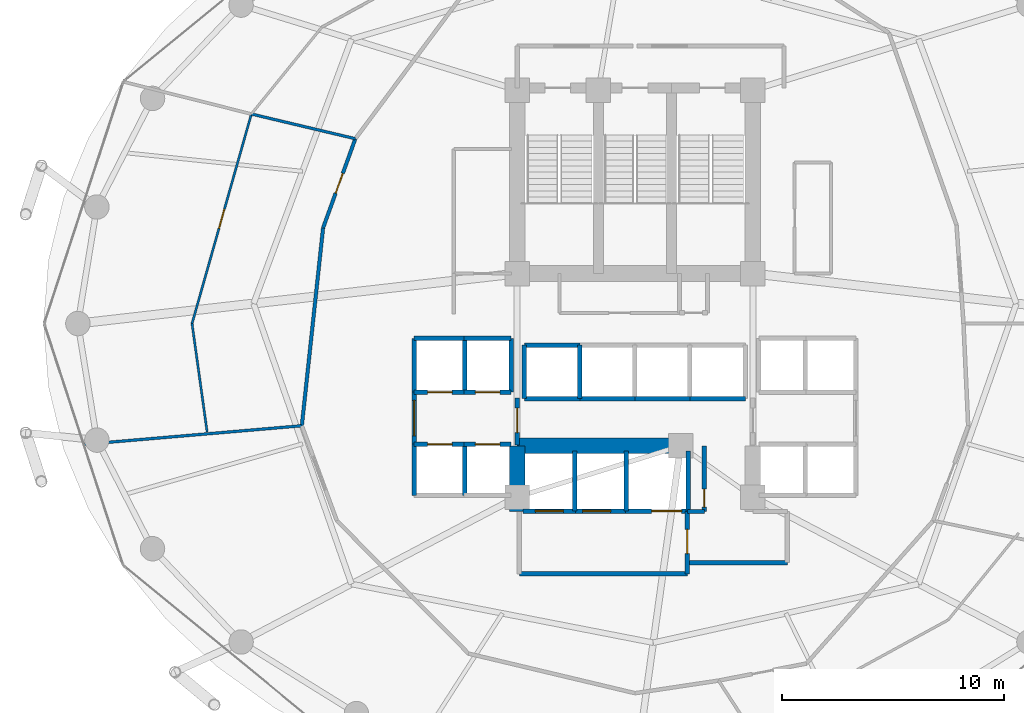
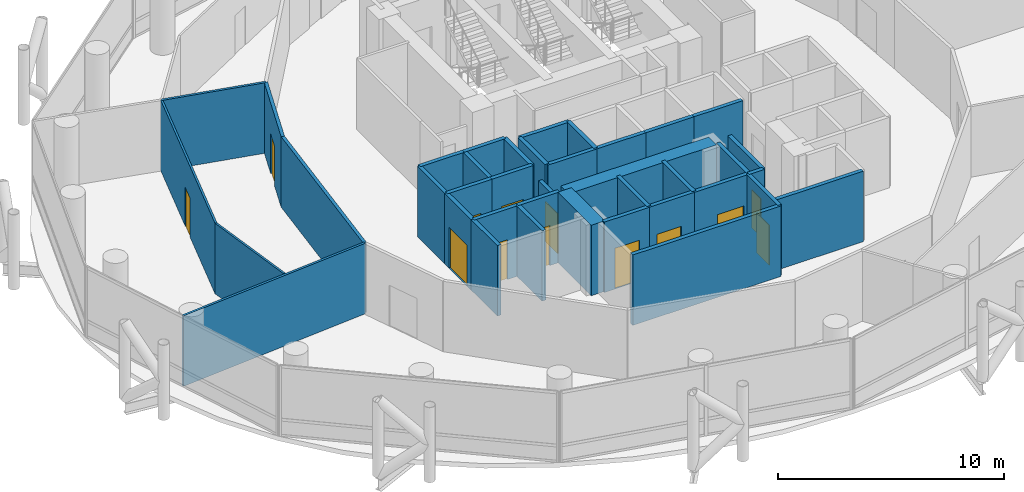
# One storey, part 21 of 24: 39 walls, 13 doors, 13 openings.
"""IFC4 building model written with IfcOpenShell, lengths in metres."""

import ifcopenshell
import ifcopenshell.guid

model = None  # the IFC model being written
_history = None  # IfcOwnerHistory: only IFC2X3 demands one
_inside = {}  # id of a spatial element -> (the spatial element, [elements in it])
_under = {}  # id of a project, library or spatial element -> (it, [spatial elements below it])
_declared = {}  # id of a project -> (the project, [libraries it declares])
_typed = {}  # id of a type object -> (the type object, [elements of that type])
_made_of = {}  # id of a material, layer set ... -> (it, [elements and type objects made of it])


def new_model(schema):
    """Start an empty IFC model of exactly this schema.

    Asked for "IFC4X3", IfcOpenShell would pick the latest addendum, in which some entities
    have other attributes; the version numbers below select the first issue.
    IFC2X3 requires an IfcOwnerHistory on every rooted entity: one is made here for all.
    """
    global model, _history
    if schema == "IFC4X3":
        model = ifcopenshell.file(schema_version=(4, 3, 0, 0))
    else:
        model = ifcopenshell.file(schema=schema)
    _inside.clear()
    _under.clear()
    _declared.clear()
    _typed.clear()
    _made_of.clear()
    _history = None
    if model.schema == "IFC2X3":
        org = make("IfcOrganization", Name="unknown")
        user = make(
            "IfcPersonAndOrganization",
            ThePerson=make("IfcPerson", FamilyName="unknown"),
            TheOrganization=org,
        )
        app = make(
            "IfcApplication",
            ApplicationDeveloper=org,
            Version="unknown",
            ApplicationFullName="unknown",
            ApplicationIdentifier="unknown",
        )
        _history = make(
            "IfcOwnerHistory",
            OwningUser=user,
            OwningApplication=app,
            ChangeAction="ADDED",
            CreationDate=0,
        )
    return model


def make(cls, **values):
    """One entity of the class cls with the attributes given. An attribute that is None is left unset."""
    return model.create_entity(
        cls, **{name: value for name, value in values.items() if value is not None}
    )


def rooted(cls, **values):
    """An entity with a GlobalId (a new one), such as an element, a storey or a relation."""
    return make(cls, GlobalId=ifcopenshell.guid.new(), OwnerHistory=_history, **values)


def si_unit(unit_type, name, prefix=None):
    """IfcSIUnit, for example si_unit("LENGTHUNIT", "METRE", prefix="MILLI")."""
    return make("IfcSIUnit", UnitType=unit_type, Prefix=prefix, Name=name)


def assignment(units):
    """IfcUnitAssignment: the units of a project."""
    return None if units is None else make("IfcUnitAssignment", Units=units)


def point(xyz):
    """IfcCartesianPoint."""
    return None if xyz is None else make("IfcCartesianPoint", Coordinates=xyz)


def direction(xyz):
    """IfcDirection."""
    return None if xyz is None else make("IfcDirection", DirectionRatios=xyz)


def frame(location, z_axis=None, x_axis=None):
    """IfcAxis2Placement3D, a coordinate frame: its origin and axes. An axis left out is left unset."""
    return make(
        "IfcAxis2Placement3D",
        Location=point(location),
        Axis=direction(z_axis),
        RefDirection=direction(x_axis),
    )


def frame_2d(location, x_axis=None):
    """IfcAxis2Placement2D, a coordinate frame in the plane: its origin and x axis."""
    return make(
        "IfcAxis2Placement2D", Location=point(location), RefDirection=direction(x_axis)
    )


def origin():
    """The frame at (0, 0, 0) with its axes left unset."""
    return frame((0.0, 0.0, 0.0))


def place(relative_to, where):
    """IfcLocalPlacement: puts the frame where relative to a parent placement (None: the world)."""
    return make(
        "IfcLocalPlacement", PlacementRelTo=relative_to, RelativePlacement=where
    )


def context(
    kind, dimensions, precision=None, world=None, true_north=None, identifier=None
):
    """IfcGeometricRepresentationContext, for example the 3D "Model" context."""
    return make(
        "IfcGeometricRepresentationContext",
        ContextIdentifier=identifier,
        ContextType=kind,
        CoordinateSpaceDimension=dimensions,
        Precision=precision,
        WorldCoordinateSystem=world,
        TrueNorth=true_north,
    )


def subcontext(parent, identifier, kind, view, scale=None):
    """IfcGeometricRepresentationSubContext, for example "Body" below "Model"."""
    return make(
        "IfcGeometricRepresentationSubContext",
        ContextIdentifier=identifier,
        ContextType=kind,
        ParentContext=parent,
        TargetScale=scale,
        TargetView=view,
    )


def project(units=None, contexts=None):
    """IfcProject with its units and contexts."""
    return rooted(
        "IfcProject",
        Name="project",
        RepresentationContexts=contexts,
        UnitsInContext=assignment(units),
    )


def spatial(cls, under=None, at=None, **own):
    """A site, building, storey or space (cls), placed at a placement, below another one or the project."""
    s = rooted(cls, ObjectPlacement=at, **own)
    if under is not None:
        _under.setdefault(under.id(), (under, []))[1].append(s)
    return s


def profile(cls, at=None, kind="AREA", **sizes):
    """A parametric profile (cls). Its sizes go by their IFC names, for example OverallWidth=200.0."""
    return make(cls, ProfileType=kind, Position=at, **sizes)


def rectangle(**sizes):
    """IfcRectangleProfileDef."""
    return profile("IfcRectangleProfileDef", **sizes)


def extrude(swept, where, along, depth):
    """IfcExtrudedAreaSolid: the profile swept, set in the frame where, extruded along a direction by depth."""
    return make(
        "IfcExtrudedAreaSolid",
        SweptArea=swept,
        Position=where,
        ExtrudedDirection=direction(along),
        Depth=depth,
    )


def shape(context_of_items, identifier, shape_type, items):
    """IfcShapeRepresentation: the items that make up one representation, for example the "Body"."""
    return make(
        "IfcShapeRepresentation",
        ContextOfItems=context_of_items,
        RepresentationIdentifier=identifier,
        RepresentationType=shape_type,
        Items=items,
    )


def material(Name=None, Category=None):
    """IfcMaterial."""
    return make("IfcMaterial", Name=Name, Category=Category)


def layer(
    of_material, thickness, ventilated=None, Name=None, Category=None, Priority=None
):
    """IfcMaterialLayer: one layer of a wall or slab, of a material (None: an air gap)."""
    return make(
        "IfcMaterialLayer",
        Material=of_material,
        LayerThickness=thickness,
        IsVentilated=ventilated,
        Name=Name,
        Category=Category,
        Priority=Priority,
    )


def layer_set(layers, Name=None):
    """IfcMaterialLayerSet."""
    return make("IfcMaterialLayerSet", MaterialLayers=layers, LayerSetName=Name)


def made_of(thing, what):
    """Note that an element or type object is made of a material, layer set ...; save() writes the relation."""
    if what is not None:
        _made_of.setdefault(what.id(), (what, []))[1].append(thing)
    return thing


def type_object(cls, material=None, **own):
    """A type object (cls), such as IfcWallType, which elements share."""
    return made_of(rooted(cls, **own), material)


def element(
    cls,
    number,
    at=None,
    inside=None,
    cuts=None,
    type_object=None,
    material=None,
    context=None,
    identifier="Body",
    shape_type=None,
    held_by="IfcProductDefinitionShape",
    body=None,
    shapes=None,
    **own,
):
    """One element of the class cls, such as IfcWall. Its Tag is "e" and its number.

    at: its placement. inside: the storey or other place that contains it. cuts: it is an
    opening in that element (IfcRelVoidsElement). A single representation is given by context,
    identifier, shape_type and body (its items); several are given by shapes. held_by: the class
    of the entity that holds the representations. save() writes the other relations.
    """
    e = rooted(cls, Tag="e%d" % number, ObjectPlacement=at, **own)
    if body is not None:
        shapes = [shape(context, identifier, shape_type, body)]
    if shapes is not None:
        e.Representation = make(held_by, Representations=shapes)
    if inside is not None:
        _inside.setdefault(inside.id(), (inside, []))[1].append(e)
    if cuts is not None:
        rooted(
            "IfcRelVoidsElement", RelatingBuildingElement=cuts, RelatedOpeningElement=e
        )
    if type_object is not None:
        _typed.setdefault(type_object.id(), (type_object, []))[1].append(e)
    return made_of(e, material)


def fill(opening, filler):
    """IfcRelFillsElement: the door or window that sits in an opening."""
    return rooted(
        "IfcRelFillsElement",
        RelatingOpeningElement=opening,
        RelatedBuildingElement=filler,
    )


def aggregate(whole, parts):
    """IfcRelAggregates: a whole, such as a stair, and the parts it consists of."""
    return rooted("IfcRelAggregates", RelatingObject=whole, RelatedObjects=parts)


def save(model, path):
    """Write the relations noted so far, then the file.

    IfcRelAggregates (storeys below a building ...), IfcRelContainedInSpatialStructure (elements
    in a storey), IfcRelDefinesByType, IfcRelAssociatesMaterial and IfcRelDeclares: one each for
    every whole, place, type object, material and project.
    """
    for whole, parts in _under.values():
        aggregate(whole, parts)
    for where, things in _inside.values():
        rooted(
            "IfcRelContainedInSpatialStructure",
            RelatedElements=things,
            RelatingStructure=where,
        )
    for kind, things in _typed.values():
        rooted("IfcRelDefinesByType", RelatedObjects=things, RelatingType=kind)
    for what, things in _made_of.values():
        rooted("IfcRelAssociatesMaterial", RelatedObjects=things, RelatingMaterial=what)
    for by, libraries in _declared.values():
        rooted("IfcRelDeclares", RelatingContext=by, RelatedDefinitions=libraries)
    model.write(path)


model = new_model("IFC4")

# Units and contexts
model_context = context("Model", 3, precision=1e-05, world=origin(), true_north=direction((0.0, 1.0)))
body_context = subcontext(model_context, "Body", "Model", "MODEL_VIEW")
ifc_project = project(units=[si_unit("LENGTHUNIT", "METRE"), si_unit("AREAUNIT", "SQUARE_METRE"), si_unit("VOLUMEUNIT", "CUBIC_METRE"), si_unit("PLANEANGLEUNIT", "RADIAN"), si_unit("MASSUNIT", "GRAM", prefix="KILO")], contexts=[model_context])

# Site, building, storey
site_placement = place(None, origin())
site = spatial("IfcSite", under=ifc_project, at=site_placement, CompositionType="ELEMENT")
building_placement = place(site_placement, origin())
building = spatial("IfcBuilding", under=site, at=building_placement, Name="Nuhasar Tower", CompositionType="ELEMENT")
storey_placement = place(building_placement, frame((0.0, 0.0, 89.85009765625)))
storey = spatial("IfcBuildingStorey", under=building, at=storey_placement, Name="L21", CompositionType="ELEMENT", Elevation=89.85009765625)

# Walls
ifc_material_1 = material(Name="Concrete C65/80", Category="concrete")
ifc_layer_1 = layer(ifc_material_1, 0.699951171875)
ifc_layer_set_1 = layer_set([ifc_layer_1], Name="Concrete C65/80")
wall_type_1 = type_object("IfcWallType", Name="WL-CORE-700", PredefinedType="SHEAR", material=ifc_layer_set_1)
wall_1_placement = place(storey_placement, frame((33.699951171875, 18.35009765625, 0.0), z_axis=(0.0, 0.0, 1.0), x_axis=(0.0, 1.0, 0.0)))
element("IfcWall", 1, at=wall_1_placement, inside=storey, type_object=wall_type_1, Name="L21 Core Shear Wall CW-SW CW-700", PredefinedType="SHEAR", context=body_context, shape_type="SweptSolid", body=[
    extrude(rectangle(XDim=2.949951171875, YDim=0.699951171875, at=frame_2d((1.47509765625, 0.0))), origin(), (0.0, 0.0, 1.0), 3.7998046875),
])
wall_2_placement = place(storey_placement, frame((33.699951171875, 21.300048828125, 0.0), z_axis=(0.0, 0.0, 1.0), x_axis=(1.0, 0.0, 0.0)))
element("IfcWall", 2, at=wall_2_placement, inside=storey, type_object=wall_type_1, Name="L21 Core Shear Wall CW-S1 CW-700", PredefinedType="SHEAR", context=body_context, shape_type="SweptSolid", body=[
    extrude(rectangle(XDim=7.550048828125, YDim=0.699951171875, at=frame_2d((3.77490234375, 0.0))), origin(), (0.0, 0.0, 1.0), 3.7998046875),
])

# Wall, opening, door
ifc_material_2 = material(Name="Gypsum Board", Category="gypsum")
ifc_layer_2 = layer(ifc_material_2, 0.159912109375)
ifc_layer_set_2 = layer_set([ifc_layer_2], Name="Gypsum Board")
wall_type_2 = type_object("IfcWallType", Name="WL-CORR-160", PredefinedType="PARTITIONING", material=ifc_layer_set_2)
wall_3_placement = place(storey_placement, frame((24.97509765625, 31.10205078125, 0.0), z_axis=(0.0, 0.0, 1.0), x_axis=(0.340183500837, 0.940359072779, 0.0)))
wall_3 = element("IfcWall", 3, at=wall_3_placement, inside=storey, type_object=wall_type_2, Name="L21 Interior Partition CORR-20", PredefinedType="PARTITIONING", context=body_context, shape_type="SweptSolid", body=[
    extrude(rectangle(XDim=4.26220703125, YDim=0.159912109375, at=frame_2d((2.131103515625, 0.0))), origin(), (0.0, 0.0, 1.0), 3.7998046875),
])
opening_1_placement = place(wall_3_placement, frame((1.656005859375, 0.0, 0.0)))
opening_1 = element("IfcOpeningElement", 4, at=opening_1_placement, cuts=wall_3, Name="Opening DO-01", PredefinedType="OPENING", context=body_context, shape_type="SweptSolid", body=[
    extrude(rectangle(XDim=0.949951171875, YDim=2.14990234375, at=frame_2d((0.47509765625, 1.074951171875))), frame((0.0, 0.08984375, 0.0), z_axis=(0.0, -1.0, 0.0), x_axis=(1.0, 0.0, 0.0)), (0.0, 0.0, 1.0), 0.179931640625),
])
ifc_material_3 = material(Name="Timber Oak", Category="wood")
door_type_1 = type_object("IfcDoorType", Name="DR-OFFICE-FD30-950", OperationType="NOTDEFINED", PredefinedType="DOOR", material=ifc_material_3)
door_1_placement = place(opening_1_placement, origin())
door_1 = element("IfcDoor", 5, at=door_1_placement, inside=storey, type_object=door_type_1, Name="L21 Protocol Banquet Dining Room Entry Door", OperationType="SINGLE_SWING_LEFT", OverallHeight=2.14990234375, OverallWidth=0.949951171875, PredefinedType="DOOR", context=body_context, shape_type="SweptSolid", body=[
    extrude(rectangle(XDim=0.949951171875, YDim=2.14990234375, at=frame_2d((0.47509765625, 1.074951171875))), frame((0.0, 0.02490234375, 0.0), z_axis=(0.0, -1.0, 0.0), x_axis=(1.0, 0.0, 0.0)), (0.0, 0.0, 1.0), 0.050048828125),
])
fill(opening_1, door_1)

# Wall
wall_4_placement = place(storey_placement, frame((24.97509765625, 31.10205078125, 0.0), z_axis=(0.0, 0.0, 1.0), x_axis=(-0.106843321034, -0.99427586954, 0.0)))
element("IfcWall", 6, at=wall_4_placement, inside=storey, type_object=wall_type_2, Name="L21 Interior Partition CORR-22", PredefinedType="PARTITIONING", context=body_context, shape_type="SweptSolid", body=[
    extrude(rectangle(XDim=8.9482421875, YDim=0.159912109375, at=frame_2d((4.47412109375, 0.0))), origin(), (0.0, 0.0, 1.0), 3.7998046875),
])

# Wall, opening, door
ifc_material_4 = material(Name="Concrete C45/55", Category="concrete")
ifc_layer_3 = layer(ifc_material_4, 0.199951171875)
ifc_layer_set_3 = layer_set([ifc_layer_3], Name="Concrete C45/55")
wall_type_3 = type_object("IfcWallType", Name="WL-LOBBY-200", PredefinedType="SOLIDWALL", material=ifc_layer_set_3)
wall_5_placement = place(storey_placement, frame((29.070068359375, 21.3798828125, 0.0), z_axis=(0.0, 0.0, 1.0), x_axis=(0.0, 1.0, 0.0)))
wall_5 = element("IfcWall", 7, at=wall_5_placement, inside=storey, type_object=wall_type_3, Name="L21 Interior Partition LLBL-W", PredefinedType="SOLIDWALL", context=body_context, shape_type="SweptSolid", body=[
    extrude(rectangle(XDim=2.340087890625, YDim=0.199951171875, at=frame_2d((1.169921875, 0.0))), origin(), (0.0, 0.0, 1.0), 3.7998046875),
])
opening_2_placement = place(wall_5_placement, frame((0.3701171875, 0.0, 0.0)))
opening_2 = element("IfcOpeningElement", 8, at=opening_2_placement, cuts=wall_5, Name="Opening DC-01", PredefinedType="OPENING", context=body_context, shape_type="SweptSolid", body=[
    extrude(rectangle(XDim=1.60009765625, YDim=2.199951171875, at=frame_2d((0.800048828125, 1.10009765625))), frame((0.0, 0.10986328125, 0.0), z_axis=(0.0, -1.0, 0.0), x_axis=(1.0, 0.0, 0.0)), (0.0, 0.0, 1.0), 0.219970703125),
])
ifc_material_5 = material(Name="Steel S355", Category="steel")
door_type_2 = type_object("IfcDoorType", Name="DR-CORR-FD60-1600", OperationType="DOUBLE_DOOR_SINGLE_SWING", PredefinedType="DOOR", material=ifc_material_5)
door_2_placement = place(opening_2_placement, origin())
door_2 = element("IfcDoor", 9, at=door_2_placement, inside=storey, type_object=door_type_2, Name="L21 Low-Rise Lift Lobby West Entry", OperationType="DOUBLE_DOOR_SINGLE_SWING", OverallHeight=2.199951171875, OverallWidth=1.60009765625, PredefinedType="DOOR", context=body_context, shape_type="SweptSolid", body=[
    extrude(rectangle(XDim=1.60009765625, YDim=2.199951171875, at=frame_2d((0.800048828125, 1.10009765625))), frame((0.0, 0.02490234375, 0.0), z_axis=(0.0, -1.0, 0.0), x_axis=(1.0, 0.0, 0.0)), (0.0, 0.0, 1.0), 0.050048828125),
])
fill(opening_2, door_2)

wall_6_placement = place(storey_placement, frame((33.699951171875, 21.35009765625, 0.0), z_axis=(0.0, 0.0, 1.0), x_axis=(0.0, 1.0, 0.0)))
wall_6 = element("IfcWall", 10, at=wall_6_placement, inside=storey, type_object=wall_type_3, Name="L21 Interior Partition LLBH-W", PredefinedType="SOLIDWALL", context=body_context, shape_type="SweptSolid", body=[
    extrude(rectangle(XDim=2.099853515625, YDim=0.199951171875, at=frame_2d((1.0498046875, 0.0))), origin(), (0.0, 0.0, 1.0), 3.02001953125),
])
opening_3_placement = place(wall_6_placement, frame((0.550048828125, 0.0, 0.0)))
opening_3 = element("IfcOpeningElement", 11, at=opening_3_placement, cuts=wall_6, Name="Opening DS-02", PredefinedType="OPENING", context=body_context, shape_type="SweptSolid", body=[
    extrude(rectangle(XDim=1.10009765625, YDim=2.14990234375, at=frame_2d((0.550048828125, 1.074951171875))), frame((0.0, 0.10986328125, 0.0), z_axis=(0.0, -1.0, 0.0), x_axis=(1.0, 0.0, 0.0)), (0.0, 0.0, 1.0), 0.219970703125),
])
door_type_3 = type_object("IfcDoorType", Name="DR-FFL-FD120-1100", OperationType="NOTDEFINED", PredefinedType="DOOR", material=ifc_material_5)
door_3_placement = place(opening_3_placement, origin())
door_3 = element("IfcDoor", 12, at=door_3_placement, inside=storey, type_object=door_type_3, Name="L21 High-Rise Lobby West Door", OperationType="SINGLE_SWING_RIGHT", OverallHeight=2.14990234375, OverallWidth=1.10009765625, PredefinedType="DOOR", context=body_context, shape_type="SweptSolid", body=[
    extrude(rectangle(XDim=1.10009765625, YDim=2.14990234375, at=frame_2d((0.550048828125, 1.074951171875))), frame((0.0, 0.02490234375, 0.0), z_axis=(0.0, -1.0, 0.0), x_axis=(1.0, 0.0, 0.0)), (0.0, 0.0, 1.0), 0.050048828125),
])
fill(opening_3, door_3)

# Wall
wall_7_placement = place(storey_placement, frame((33.800048828125, 15.550048828125, 0.0), z_axis=(0.0, 0.0, 1.0), x_axis=(1.0, 0.0, 0.0)))
element("IfcWall", 13, at=wall_7_placement, inside=storey, type_object=wall_type_3, Name="L21 Interior Partition FFL-S", PredefinedType="SOLIDWALL", context=body_context, shape_type="SweptSolid", body=[
    extrude(rectangle(XDim=7.550048828125, YDim=0.199951171875, at=frame_2d((3.77490234375, 0.0))), origin(), (0.0, 0.0, 1.0), 3.7998046875),
])

# Wall, opening, door
wall_8_placement = place(storey_placement, frame((41.35009765625, 15.550048828125, 0.0), z_axis=(0.0, 0.0, 1.0), x_axis=(0.0, 1.0, 0.0)))
wall_8 = element("IfcWall", 14, at=wall_8_placement, inside=storey, type_object=wall_type_3, Name="L21 Interior Partition FFL-E", PredefinedType="SOLIDWALL", context=body_context, shape_type="SweptSolid", body=[
    extrude(rectangle(XDim=2.800048828125, YDim=0.199951171875, at=frame_2d((1.39990234375, 0.0))), origin(), (0.0, 0.0, 1.0), 3.7998046875),
])
opening_4_placement = place(wall_8_placement, frame((0.89990234375, 0.0, 0.0)))
opening_4 = element("IfcOpeningElement", 15, at=opening_4_placement, cuts=wall_8, Name="Opening DS-02", PredefinedType="OPENING", context=body_context, shape_type="SweptSolid", body=[
    extrude(rectangle(XDim=1.10009765625, YDim=2.14990234375, at=frame_2d((0.550048828125, 1.074951171875))), frame((0.0, 0.10986328125, 0.0), z_axis=(0.0, -1.0, 0.0), x_axis=(1.0, 0.0, 0.0)), (0.0, 0.0, 1.0), 0.219970703125),
])
door_4_placement = place(opening_4_placement, origin())
door_4 = element("IfcDoor", 16, at=door_4_placement, inside=storey, type_object=door_type_3, Name="L21 Firefighting Lobby Door", OperationType="SINGLE_SWING_RIGHT", OverallHeight=2.14990234375, OverallWidth=1.10009765625, PredefinedType="DOOR", context=body_context, shape_type="SweptSolid", body=[
    extrude(rectangle(XDim=1.10009765625, YDim=2.14990234375, at=frame_2d((0.550048828125, 1.074951171875))), frame((0.0, 0.02490234375, 0.0), z_axis=(0.0, -1.0, 0.0), x_axis=(1.0, 0.0, 0.0)), (0.0, 0.0, 1.0), 0.050048828125),
])
fill(opening_4, door_4)

# Wall
wall_9_placement = place(storey_placement, frame((41.35009765625, 16.050048828125, 0.0), z_axis=(0.0, 0.0, 1.0), x_axis=(1.0, 0.0, 0.0)))
element("IfcWall", 17, at=wall_9_placement, inside=storey, type_object=wall_type_3, Name="L21 Interior Partition SVLV-S", PredefinedType="SOLIDWALL", context=body_context, shape_type="SweptSolid", body=[
    extrude(rectangle(XDim=4.5, YDim=0.199951171875, at=frame_2d((2.25, 0.0))), origin(), (0.0, 0.0, 1.0), 3.7998046875),
])

# Wall, opening, door
ifc_material_6 = material(Name="Aluminium 6063-T6", Category="aluminium")
ifc_layer_4 = layer(ifc_material_6, 0.10009765625)
ifc_layer_set_4 = layer_set([ifc_layer_4], Name="Aluminium 6063-T6")
wall_type_4 = type_object("IfcWallType", Name="WL-MOVABLE-100", PredefinedType="MOVABLE", material=ifc_layer_set_4)
wall_10_placement = place(storey_placement, frame((19.08203125, 26.800048828125, 0.0), z_axis=(0.0, 0.0, 1.0), x_axis=(0.272547183725, 0.962142418067, 0.0)))
wall_10 = element("IfcWall", 18, at=wall_10_placement, inside=storey, type_object=wall_type_4, Name="L21 Interior Partition OMID-03-20", PredefinedType="MOVABLE", context=body_context, shape_type="SweptSolid", body=[
    extrude(rectangle(XDim=9.79248046875, YDim=0.10009765625, at=frame_2d((4.896240234375, 0.0))), origin(), (0.0, 0.0, 1.0), 3.7998046875),
])
opening_5_placement = place(wall_10_placement, frame((4.446044921875, 0.0, 0.0)))
opening_5 = element("IfcOpeningElement", 19, at=opening_5_placement, cuts=wall_10, Name="Opening DR-01", PredefinedType="OPENING", context=body_context, shape_type="SweptSolid", body=[
    extrude(rectangle(XDim=0.89990234375, YDim=2.10009765625, at=frame_2d((0.449951171875, 1.050048828125))), frame((0.0, 0.06005859375, 0.0), z_axis=(0.0, -1.0, 0.0), x_axis=(1.0, 0.0, 0.0)), (0.0, 0.0, 1.0), 0.1201171875),
])
door_type_4 = type_object("IfcDoorType", Name="DR-ROOM-900", OperationType="NOTDEFINED", PredefinedType="DOOR", material=ifc_material_3)
door_5_placement = place(opening_5_placement, origin())
door_5 = element("IfcDoor", 20, at=door_5_placement, inside=storey, type_object=door_type_4, Name="L21 Protocol Banquet Dining Room Inner Door", OperationType="SINGLE_SWING_RIGHT", OverallHeight=2.10009765625, OverallWidth=0.89990234375, PredefinedType="DOOR", context=body_context, shape_type="SweptSolid", body=[
    extrude(rectangle(XDim=0.89990234375, YDim=2.10009765625, at=frame_2d((0.449951171875, 1.050048828125))), frame((0.0, 0.02490234375, 0.0), z_axis=(0.0, -1.0, 0.0), x_axis=(1.0, 0.0, 0.0)), (0.0, 0.0, 1.0), 0.050048828125),
])
fill(opening_5, door_5)

# Walls
wall_11_placement = place(storey_placement, frame((19.08203125, 26.800048828125, 0.0), z_axis=(0.0, 0.0, 1.0), x_axis=(0.137887249671, -0.990447932189, 0.0)))
element("IfcWall", 21, at=wall_11_placement, inside=storey, type_object=wall_type_4, Name="L21 Interior Partition OMID-03-24", PredefinedType="MOVABLE", context=body_context, shape_type="SweptSolid", body=[
    extrude(rectangle(XDim=4.924072265625, YDim=0.10009765625, at=frame_2d((2.4619140625, 0.0))), origin(), (0.0, 0.0, 1.0), 3.7998046875),
])
ifc_layer_5 = layer(ifc_material_2, 0.125)
ifc_layer_set_5 = layer_set([ifc_layer_5], Name="Gypsum Board")
wall_type_5 = type_object("IfcWallType", Name="WL-PART-125", PredefinedType="PARTITIONING", material=ifc_layer_set_5)
wall_12_placement = place(storey_placement, frame((26.425048828125, 35.110107421875, 0.0), z_axis=(0.0, 0.0, 1.0), x_axis=(-0.972855808005, 0.23141213631, 0.0)))
element("IfcWall", 22, at=wall_12_placement, inside=storey, type_object=wall_type_5, Name="L21 Interior Partition ORAD-20-S1", PredefinedType="PARTITIONING", context=body_context, shape_type="SweptSolid", body=[
    extrude(rectangle(XDim=4.804443359375, YDim=0.125, at=frame_2d((2.40234375, 0.0))), origin(), (0.0, 0.0, 1.0), 3.7998046875),
])
wall_13_placement = place(storey_placement, frame((24.01904296875, 22.205078125, 0.0), z_axis=(0.0, 0.0, 1.0), x_axis=(-0.996355302193, -0.085300127731, 0.0)))
element("IfcWall", 23, at=wall_13_placement, inside=storey, type_object=wall_type_5, Name="L21 Interior Partition ORAD-26", PredefinedType="PARTITIONING", context=body_context, shape_type="SweptSolid", body=[
    extrude(rectangle(XDim=9.802734375, YDim=0.125, at=frame_2d((4.9013671875, 0.0))), origin(), (0.0, 0.0, 1.0), 3.7998046875),
])

# Wall, opening, door
ifc_layer_6 = layer(ifc_material_4, 0.199951171875)
ifc_layer_set_6 = layer_set([ifc_layer_6], Name="Concrete C45/55")
wall_type_6 = type_object("IfcWallType", Name="WL-SHAFT-200", PredefinedType="SOLIDWALL", material=ifc_layer_set_6)
wall_14_placement = place(storey_placement, frame((29.070068359375, 23.719970703125, 0.0), z_axis=(0.0, 0.0, 1.0), x_axis=(1.0, 0.0, 0.0)))
wall_14 = element("IfcWall", 24, at=wall_14_placement, inside=storey, type_object=wall_type_6, Name="L21 Interior Partition SHF-PL-L01-S", PredefinedType="SOLIDWALL", context=body_context, shape_type="SweptSolid", body=[
    extrude(rectangle(XDim=2.309814453125, YDim=0.199951171875, at=frame_2d((1.15478515625, 0.0))), origin(), (0.0, 0.0, 1.0), 3.7998046875),
])
opening_6_placement = place(wall_14_placement, frame((0.60498046875, 0.0, 0.0)))
opening_6 = element("IfcOpeningElement", 25, at=opening_6_placement, cuts=wall_14, Name="Opening LD-L01", PredefinedType="OPENING", context=body_context, shape_type="SweptSolid", body=[
    extrude(rectangle(XDim=1.10009765625, YDim=2.14990234375, at=frame_2d((0.550048828125, 1.074951171875))), frame((0.0, 0.10986328125, 0.0), z_axis=(0.0, -1.0, 0.0), x_axis=(1.0, 0.0, 0.0)), (0.0, 0.0, 1.0), 0.219970703125),
])
ifc_material_7 = material(Name="Stainless Steel 316L", Category="steel")
door_type_5 = type_object("IfcDoorType", Name="LD-PAX-1100", OperationType="DOUBLE_DOOR_SLIDING", PredefinedType="DOOR", material=ifc_material_7)
door_6_placement = place(opening_6_placement, origin())
door_6 = element("IfcDoor", 26, at=door_6_placement, inside=storey, type_object=door_type_5, Name="L21 Lift Landing Door PL-L01", OperationType="DOUBLE_DOOR_SLIDING", OverallHeight=2.14990234375, OverallWidth=1.10009765625, PredefinedType="DOOR", context=body_context, shape_type="SweptSolid", body=[
    extrude(rectangle(XDim=1.10009765625, YDim=2.14990234375, at=frame_2d((0.550048828125, 1.074951171875))), frame((0.0, 0.02490234375, 0.0), z_axis=(0.0, -1.0, 0.0), x_axis=(1.0, 0.0, 0.0)), (0.0, 0.0, 1.0), 0.050048828125),
])
fill(opening_6, door_6)

# Walls
wall_15_placement = place(storey_placement, frame((29.070068359375, 26.1298828125, 0.0), z_axis=(0.0, 0.0, 1.0), x_axis=(1.0, 0.0, 0.0)))
element("IfcWall", 27, at=wall_15_placement, inside=storey, type_object=wall_type_6, Name="L21 Interior Partition SHF-PL-L01-N", PredefinedType="SOLIDWALL", context=body_context, shape_type="SweptSolid", body=[
    extrude(rectangle(XDim=2.309814453125, YDim=0.199951171875, at=frame_2d((1.15478515625, 0.0))), origin(), (0.0, 0.0, 1.0), 3.7998046875),
])
for number, where, z_axis, x_axis, name in (
    (28, (29.070068359375, 23.719970703125, 0.0), (0.0, 0.0, 1.0), (0.0, 1.0, 0.0), "L21 Interior Partition SHF-PL-L01-W"),
    (29, (31.35009765625, 23.719970703125, 0.0), (0.0, 0.0, 1.0), (0.0, 1.0, 0.0), "L21 Interior Partition SHF-PL-L01-E"),
):
    element("IfcWall", number, at=place(storey_placement, frame(where, z_axis=z_axis, x_axis=x_axis)), inside=storey, type_object=wall_type_6, Name=name, PredefinedType="SOLIDWALL", context=body_context, shape_type="SweptSolid", body=[
        extrude(rectangle(XDim=2.409912109375, YDim=0.199951171875, at=frame_2d((1.205078125, 0.0))), origin(), (0.0, 0.0, 1.0), 3.7998046875),
    ])

# Wall, opening, door
wall_16_placement = place(storey_placement, frame((31.320068359375, 23.719970703125, 0.0), z_axis=(0.0, 0.0, 1.0), x_axis=(1.0, 0.0, 0.0)))
wall_16 = element("IfcWall", 30, at=wall_16_placement, inside=storey, type_object=wall_type_6, Name="L21 Interior Partition SHF-PL-L02-S", PredefinedType="SOLIDWALL", context=body_context, shape_type="SweptSolid", body=[
    extrude(rectangle(XDim=2.10986328125, YDim=0.199951171875, at=frame_2d((1.054931640625, 0.0))), origin(), (0.0, 0.0, 1.0), 3.7998046875),
])
opening_7_placement = place(wall_16_placement, frame((0.5048828125, 0.0, 0.0)))
opening_7 = element("IfcOpeningElement", 31, at=opening_7_placement, cuts=wall_16, Name="Opening LD-L02", PredefinedType="OPENING", context=body_context, shape_type="SweptSolid", body=[
    extrude(rectangle(XDim=1.10009765625, YDim=2.14990234375, at=frame_2d((0.550048828125, 1.074951171875))), frame((0.0, 0.10986328125, 0.0), z_axis=(0.0, -1.0, 0.0), x_axis=(1.0, 0.0, 0.0)), (0.0, 0.0, 1.0), 0.219970703125),
])
door_7_placement = place(opening_7_placement, origin())
door_7 = element("IfcDoor", 32, at=door_7_placement, inside=storey, type_object=door_type_5, Name="L21 Lift Landing Door PL-L02", OperationType="DOUBLE_DOOR_SLIDING", OverallHeight=2.14990234375, OverallWidth=1.10009765625, PredefinedType="DOOR", context=body_context, shape_type="SweptSolid", body=[
    extrude(rectangle(XDim=1.10009765625, YDim=2.14990234375, at=frame_2d((0.550048828125, 1.074951171875))), frame((0.0, 0.02490234375, 0.0), z_axis=(0.0, -1.0, 0.0), x_axis=(1.0, 0.0, 0.0)), (0.0, 0.0, 1.0), 0.050048828125),
])
fill(opening_7, door_7)

# Walls
wall_17_placement = place(storey_placement, frame((31.320068359375, 26.1298828125, 0.0), z_axis=(0.0, 0.0, 1.0), x_axis=(1.0, 0.0, 0.0)))
element("IfcWall", 33, at=wall_17_placement, inside=storey, type_object=wall_type_6, Name="L21 Interior Partition SHF-PL-L02-N", PredefinedType="SOLIDWALL", context=body_context, shape_type="SweptSolid", body=[
    extrude(rectangle(XDim=2.10986328125, YDim=0.199951171875, at=frame_2d((1.054931640625, 0.0))), origin(), (0.0, 0.0, 1.0), 3.7998046875),
])
wall_18_placement = place(storey_placement, frame((33.429931640625, 23.719970703125, 0.0), z_axis=(0.0, 0.0, 1.0), x_axis=(0.0, 1.0, 0.0)))
element("IfcWall", 34, at=wall_18_placement, inside=storey, type_object=wall_type_6, Name="L21 Interior Partition SHF-PL-L02-E", PredefinedType="SOLIDWALL", context=body_context, shape_type="SweptSolid", body=[
    extrude(rectangle(XDim=2.409912109375, YDim=0.199951171875, at=frame_2d((1.205078125, 0.0))), origin(), (0.0, 0.0, 1.0), 3.7998046875),
])

# Wall, opening, door
wall_19_placement = place(storey_placement, frame((29.070068359375, 21.3798828125, 0.0), z_axis=(0.0, 0.0, 1.0), x_axis=(1.0, 0.0, 0.0)))
wall_19 = element("IfcWall", 35, at=wall_19_placement, inside=storey, type_object=wall_type_6, Name="L21 Interior Partition SHF-PL-L03-N", PredefinedType="SOLIDWALL", context=body_context, shape_type="SweptSolid", body=[
    extrude(rectangle(XDim=2.309814453125, YDim=0.199951171875, at=frame_2d((1.15478515625, 0.0))), origin(), (0.0, 0.0, 1.0), 3.7998046875),
])
opening_8_placement = place(wall_19_placement, frame((0.60498046875, 0.0, 0.0)))
opening_8 = element("IfcOpeningElement", 36, at=opening_8_placement, cuts=wall_19, Name="Opening LD-L03", PredefinedType="OPENING", context=body_context, shape_type="SweptSolid", body=[
    extrude(rectangle(XDim=1.10009765625, YDim=2.14990234375, at=frame_2d((0.550048828125, 1.074951171875))), frame((0.0, 0.10986328125, 0.0), z_axis=(0.0, -1.0, 0.0), x_axis=(1.0, 0.0, 0.0)), (0.0, 0.0, 1.0), 0.219970703125),
])
door_8_placement = place(opening_8_placement, origin())
door_8 = element("IfcDoor", 37, at=door_8_placement, inside=storey, type_object=door_type_5, Name="L21 Lift Landing Door PL-L03", OperationType="DOUBLE_DOOR_SLIDING", OverallHeight=2.14990234375, OverallWidth=1.10009765625, PredefinedType="DOOR", context=body_context, shape_type="SweptSolid", body=[
    extrude(rectangle(XDim=1.10009765625, YDim=2.14990234375, at=frame_2d((0.550048828125, 1.074951171875))), frame((0.0, 0.02490234375, 0.0), z_axis=(0.0, -1.0, 0.0), x_axis=(1.0, 0.0, 0.0)), (0.0, 0.0, 1.0), 0.050048828125),
])
fill(opening_8, door_8)

# Walls
for number, where, z_axis, x_axis, name in (
    (38, (29.070068359375, 19.070068359375, 0.0), (0.0, 0.0, 1.0), (0.0, 1.0, 0.0), "L21 Interior Partition SHF-PL-L03-W"),
    (39, (31.35009765625, 19.070068359375, 0.0), (0.0, 0.0, 1.0), (0.0, 1.0, 0.0), "L21 Interior Partition SHF-PL-L03-E"),
):
    element("IfcWall", number, at=place(storey_placement, frame(where, z_axis=z_axis, x_axis=x_axis)), inside=storey, type_object=wall_type_6, Name=name, PredefinedType="SOLIDWALL", context=body_context, shape_type="SweptSolid", body=[
        extrude(rectangle(XDim=2.309814453125, YDim=0.199951171875, at=frame_2d((1.15478515625, 0.0))), origin(), (0.0, 0.0, 1.0), 3.7998046875),
    ])

# Wall, opening, door
wall_20_placement = place(storey_placement, frame((31.320068359375, 21.3798828125, 0.0), z_axis=(0.0, 0.0, 1.0), x_axis=(1.0, 0.0, 0.0)))
wall_20 = element("IfcWall", 40, at=wall_20_placement, inside=storey, type_object=wall_type_6, Name="L21 Interior Partition SHF-PL-L04-N", PredefinedType="SOLIDWALL", context=body_context, shape_type="SweptSolid", body=[
    extrude(rectangle(XDim=2.10986328125, YDim=0.199951171875, at=frame_2d((1.054931640625, 0.0))), origin(), (0.0, 0.0, 1.0), 3.7998046875),
])
opening_9_placement = place(wall_20_placement, frame((0.5048828125, 0.0, 0.0)))
opening_9 = element("IfcOpeningElement", 41, at=opening_9_placement, cuts=wall_20, Name="Opening LD-L04", PredefinedType="OPENING", context=body_context, shape_type="SweptSolid", body=[
    extrude(rectangle(XDim=1.10009765625, YDim=2.14990234375, at=frame_2d((0.550048828125, 1.074951171875))), frame((0.0, 0.10986328125, 0.0), z_axis=(0.0, -1.0, 0.0), x_axis=(1.0, 0.0, 0.0)), (0.0, 0.0, 1.0), 0.219970703125),
])
door_9_placement = place(opening_9_placement, origin())
door_9 = element("IfcDoor", 42, at=door_9_placement, inside=storey, type_object=door_type_5, Name="L21 Lift Landing Door PL-L04", OperationType="DOUBLE_DOOR_SLIDING", OverallHeight=2.14990234375, OverallWidth=1.10009765625, PredefinedType="DOOR", context=body_context, shape_type="SweptSolid", body=[
    extrude(rectangle(XDim=1.10009765625, YDim=2.14990234375, at=frame_2d((0.550048828125, 1.074951171875))), frame((0.0, 0.02490234375, 0.0), z_axis=(0.0, -1.0, 0.0), x_axis=(1.0, 0.0, 0.0)), (0.0, 0.0, 1.0), 0.050048828125),
])
fill(opening_9, door_9)

# Walls
for number, where, z_axis, x_axis, name in (
    (43, (34.02001953125, 23.419921875, 0.0), (0.0, 0.0, 1.0), (1.0, 0.0, 0.0), "L21 Interior Partition SHF-PL-H01-S"),
    (44, (34.02001953125, 25.830078125, 0.0), (0.0, 0.0, 1.0), (1.0, 0.0, 0.0), "L21 Interior Partition SHF-PL-H01-N"),
):
    element("IfcWall", number, at=place(storey_placement, frame(where, z_axis=z_axis, x_axis=x_axis)), inside=storey, type_object=wall_type_6, Name=name, PredefinedType="SOLIDWALL", context=body_context, shape_type="SweptSolid", body=[
        extrude(rectangle(XDim=2.5, YDim=0.199951171875, at=frame_2d((1.25, 0.0))), origin(), (0.0, 0.0, 1.0), 3.7998046875),
    ])
for number, where, z_axis, x_axis, name in (
    (45, (34.02001953125, 23.419921875, 0.0), (0.0, 0.0, 1.0), (0.0, 1.0, 0.0), "L21 Interior Partition SHF-PL-H01-W"),
    (46, (36.510009765625, 23.419921875, 0.0), (0.0, 0.0, 1.0), (0.0, 1.0, 0.0), "L21 Interior Partition SHF-PL-H01-E"),
):
    element("IfcWall", number, at=place(storey_placement, frame(where, z_axis=z_axis, x_axis=x_axis)), inside=storey, type_object=wall_type_6, Name=name, PredefinedType="SOLIDWALL", context=body_context, shape_type="SweptSolid", body=[
        extrude(rectangle(XDim=2.41015625, YDim=0.199951171875, at=frame_2d((1.205078125, 0.0))), origin(), (0.0, 0.0, 1.0), 3.7998046875),
    ])
for number, where, z_axis, x_axis, name in (
    (47, (36.5, 23.419921875, 0.0), (0.0, 0.0, 1.0), (1.0, 0.0, 0.0), "L21 Interior Partition SHF-PL-H02-S"),
    (48, (38.97998046875, 23.419921875, 0.0), (0.0, 0.0, 1.0), (1.0, 0.0, 0.0), "L21 Interior Partition SHF-PL-H03-S"),
    (49, (41.4599609375, 23.419921875, 0.0), (0.0, 0.0, 1.0), (1.0, 0.0, 0.0), "L21 Interior Partition SHF-PL-H04-S"),
):
    element("IfcWall", number, at=place(storey_placement, frame(where, z_axis=z_axis, x_axis=x_axis)), inside=storey, type_object=wall_type_6, Name=name, PredefinedType="SOLIDWALL", context=body_context, shape_type="SweptSolid", body=[
        extrude(rectangle(XDim=2.5, YDim=0.199951171875, at=frame_2d((1.25, 0.0))), origin(), (0.0, 0.0, 1.0), 3.7998046875),
    ])

# Wall, opening, door
wall_21_placement = place(storey_placement, frame((33.969970703125, 18.3701171875, 0.0), z_axis=(0.0, 0.0, 1.0), x_axis=(1.0, 0.0, 0.0)))
wall_21 = element("IfcWall", 50, at=wall_21_placement, inside=storey, type_object=wall_type_6, Name="L21 Interior Partition SHF-FFL-01-S", PredefinedType="SOLIDWALL", context=body_context, shape_type="SweptSolid", body=[
    extrude(rectangle(XDim=2.360107421875, YDim=0.199951171875, at=frame_2d((1.18017578125, 0.0))), origin(), (0.0, 0.0, 1.0), 3.7998046875),
])
opening_10_placement = place(wall_21_placement, frame((0.554931640625, 0.0, 0.0)))
opening_10 = element("IfcOpeningElement", 51, at=opening_10_placement, cuts=wall_21, Name="Opening LD-F01", PredefinedType="OPENING", context=body_context, shape_type="SweptSolid", body=[
    extrude(rectangle(XDim=1.25, YDim=2.199951171875, at=frame_2d((0.625, 1.10009765625))), frame((0.0, 0.10986328125, 0.0), z_axis=(0.0, -1.0, 0.0), x_axis=(1.0, 0.0, 0.0)), (0.0, 0.0, 1.0), 0.219970703125),
])
door_type_6 = type_object("IfcDoorType", Name="LD-FFL-1250", OperationType="DOUBLE_DOOR_SLIDING", PredefinedType="DOOR", material=ifc_material_7)
door_10_placement = place(opening_10_placement, origin())
door_10 = element("IfcDoor", 52, at=door_10_placement, inside=storey, type_object=door_type_6, Name="L21 Lift Landing Door FFL-01", OperationType="DOUBLE_DOOR_SLIDING", OverallHeight=2.199951171875, OverallWidth=1.25, PredefinedType="DOOR", context=body_context, shape_type="SweptSolid", body=[
    extrude(rectangle(XDim=1.25, YDim=2.199951171875, at=frame_2d((0.625, 1.10009765625))), frame((0.0, 0.02490234375, 0.0), z_axis=(0.0, -1.0, 0.0), x_axis=(1.0, 0.0, 0.0)), (0.0, 0.0, 1.0), 0.050048828125),
])
fill(opening_10, door_10)

# Wall
wall_22_placement = place(storey_placement, frame((36.300048828125, 18.3701171875, 0.0), z_axis=(0.0, 0.0, 1.0), x_axis=(0.0, 1.0, 0.0)))
element("IfcWall", 53, at=wall_22_placement, inside=storey, type_object=wall_type_6, Name="L21 Interior Partition SHF-FFL-01-E", PredefinedType="SOLIDWALL", context=body_context, shape_type="SweptSolid", body=[
    extrude(rectangle(XDim=2.7099609375, YDim=0.199951171875, at=frame_2d((1.35498046875, 0.0))), origin(), (0.0, 0.0, 1.0), 3.7998046875),
])

# Wall, opening, door
wall_23_placement = place(storey_placement, frame((36.27001953125, 18.3701171875, 0.0), z_axis=(0.0, 0.0, 1.0), x_axis=(1.0, 0.0, 0.0)))
wall_23 = element("IfcWall", 54, at=wall_23_placement, inside=storey, type_object=wall_type_6, Name="L21 Interior Partition SHF-FFL-02-S", PredefinedType="SOLIDWALL", context=body_context, shape_type="SweptSolid", body=[
    extrude(rectangle(XDim=2.35986328125, YDim=0.199951171875, at=frame_2d((1.179931640625, 0.0))), origin(), (0.0, 0.0, 1.0), 3.7998046875),
])
opening_11_placement = place(wall_23_placement, frame((0.3798828125, 0.0, 0.0)))
opening_11 = element("IfcOpeningElement", 55, at=opening_11_placement, cuts=wall_23, Name="Opening LD-F02", PredefinedType="OPENING", context=body_context, shape_type="SweptSolid", body=[
    extrude(rectangle(XDim=1.25, YDim=2.199951171875, at=frame_2d((0.625, 1.10009765625))), frame((0.0, 0.10986328125, 0.0), z_axis=(0.0, -1.0, 0.0), x_axis=(1.0, 0.0, 0.0)), (0.0, 0.0, 1.0), 0.219970703125),
])
door_11_placement = place(opening_11_placement, origin())
door_11 = element("IfcDoor", 56, at=door_11_placement, inside=storey, type_object=door_type_6, Name="L21 Lift Landing Door FFL-02", OperationType="DOUBLE_DOOR_SLIDING", OverallHeight=2.199951171875, OverallWidth=1.25, PredefinedType="DOOR", context=body_context, shape_type="SweptSolid", body=[
    extrude(rectangle(XDim=1.25, YDim=2.199951171875, at=frame_2d((0.625, 1.10009765625))), frame((0.0, 0.02490234375, 0.0), z_axis=(0.0, -1.0, 0.0), x_axis=(1.0, 0.0, 0.0)), (0.0, 0.0, 1.0), 0.050048828125),
])
fill(opening_11, door_11)

# Wall
wall_24_placement = place(storey_placement, frame((38.60009765625, 18.3701171875, 0.0), z_axis=(0.0, 0.0, 1.0), x_axis=(0.0, 1.0, 0.0)))
element("IfcWall", 57, at=wall_24_placement, inside=storey, type_object=wall_type_6, Name="L21 Interior Partition SHF-FFL-02-E", PredefinedType="SOLIDWALL", context=body_context, shape_type="SweptSolid", body=[
    extrude(rectangle(XDim=2.7099609375, YDim=0.199951171875, at=frame_2d((1.35498046875, 0.0))), origin(), (0.0, 0.0, 1.0), 3.7998046875),
])

# Wall, opening, door
wall_25_placement = place(storey_placement, frame((38.570068359375, 18.3701171875, 0.0), z_axis=(0.0, 0.0, 1.0), x_axis=(1.0, 0.0, 0.0)))
wall_25 = element("IfcWall", 58, at=wall_25_placement, inside=storey, type_object=wall_type_6, Name="L21 Interior Partition SHF-SVL-01-S", PredefinedType="SOLIDWALL", context=body_context, shape_type="SweptSolid", body=[
    extrude(rectangle(XDim=2.829833984375, YDim=0.199951171875, at=frame_2d((1.4150390625, 0.0))), origin(), (0.0, 0.0, 1.0), 3.7998046875),
])
opening_12_placement = place(wall_25_placement, frame((1.179931640625, 0.0, 0.0)))
opening_12 = element("IfcOpeningElement", 59, at=opening_12_placement, cuts=wall_25, Name="Opening LD-S01", PredefinedType="OPENING", context=body_context, shape_type="SweptSolid", body=[
    extrude(rectangle(XDim=1.35009765625, YDim=2.179931640625, at=frame_2d((0.675048828125, 1.08984375))), frame((0.0, 0.10986328125, 0.0), z_axis=(0.0, -1.0, 0.0), x_axis=(1.0, 0.0, 0.0)), (0.0, 0.0, 1.0), 0.219970703125),
])
door_type_7 = type_object("IfcDoorType", Name="LD-SVL-1350", OperationType="DOUBLE_DOOR_SLIDING", PredefinedType="DOOR", material=ifc_material_7)
door_12_placement = place(opening_12_placement, origin())
door_12 = element("IfcDoor", 60, at=door_12_placement, inside=storey, type_object=door_type_7, Name="L21 Lift Landing Door SVL-01", OperationType="DOUBLE_DOOR_SLIDING", OverallHeight=2.179931640625, OverallWidth=1.35009765625, PredefinedType="DOOR", context=body_context, shape_type="SweptSolid", body=[
    extrude(rectangle(XDim=1.35009765625, YDim=2.179931640625, at=frame_2d((0.675048828125, 1.08984375))), frame((0.0, 0.02490234375, 0.0), z_axis=(0.0, -1.0, 0.0), x_axis=(1.0, 0.0, 0.0)), (0.0, 0.0, 1.0), 0.050048828125),
])
fill(opening_12, door_12)

# Wall
wall_26_placement = place(storey_placement, frame((41.39990234375, 18.3701171875, 0.0), z_axis=(0.0, 0.0, 1.0), x_axis=(0.0, 1.0, 0.0)))
element("IfcWall", 61, at=wall_26_placement, inside=storey, type_object=wall_type_6, Name="L21 Interior Partition SHF-SVL-01-E", PredefinedType="SOLIDWALL", context=body_context, shape_type="SweptSolid", body=[
    extrude(rectangle(XDim=2.7099609375, YDim=0.199951171875, at=frame_2d((1.35498046875, 0.0))), origin(), (0.0, 0.0, 1.0), 3.7998046875),
])

# Wall, opening, door
wall_27_placement = place(storey_placement, frame((42.1201171875, 18.35009765625, 0.0), z_axis=(0.0, 0.0, 1.0), x_axis=(0.0, 1.0, 0.0)))
wall_27 = element("IfcWall", 62, at=wall_27_placement, inside=storey, type_object=wall_type_6, Name="L21 Interior Partition RSR-E", PredefinedType="SOLIDWALL", context=body_context, shape_type="SweptSolid", body=[
    extrude(rectangle(XDim=2.949951171875, YDim=0.199951171875, at=frame_2d((1.47509765625, 0.0))), origin(), (0.0, 0.0, 1.0), 3.7998046875),
])
opening_13_placement = place(wall_27_placement, frame((0.199951171875, 0.0, 0.0)))
opening_13 = element("IfcOpeningElement", 63, at=opening_13_placement, cuts=wall_27, Name="Opening DM-01", PredefinedType="OPENING", context=body_context, shape_type="SweptSolid", body=[
    extrude(rectangle(XDim=0.800048828125, YDim=2.050048828125, at=frame_2d((0.39990234375, 1.02490234375))), frame((0.0, 0.10986328125, 0.0), z_axis=(0.0, -1.0, 0.0), x_axis=(1.0, 0.0, 0.0)), (0.0, 0.0, 1.0), 0.219970703125),
])
door_type_8 = type_object("IfcDoorType", Name="DR-RISER-FD60-800", OperationType="NOTDEFINED", PredefinedType="DOOR", material=ifc_material_5)
door_13_placement = place(opening_13_placement, origin())
door_13 = element("IfcDoor", 64, at=door_13_placement, inside=storey, type_object=door_type_8, Name="L21 MEP Riser Access Door", OperationType="SINGLE_SWING_LEFT", OverallHeight=2.050048828125, OverallWidth=0.800048828125, PredefinedType="DOOR", context=body_context, shape_type="SweptSolid", body=[
    extrude(rectangle(XDim=0.800048828125, YDim=2.050048828125, at=frame_2d((0.39990234375, 1.02490234375))), frame((0.0, 0.02490234375, 0.0), z_axis=(0.0, -1.0, 0.0), x_axis=(1.0, 0.0, 0.0)), (0.0, 0.0, 1.0), 0.050048828125),
])
fill(opening_13, door_13)

# Wall
wall_28_placement = place(storey_placement, frame((41.35009765625, 18.35009765625, 0.0), z_axis=(0.0, 0.0, 1.0), x_axis=(1.0, 0.0, 0.0)))
element("IfcWall", 65, at=wall_28_placement, inside=storey, type_object=wall_type_6, Name="L21 Interior Partition RSR-S", PredefinedType="SOLIDWALL", context=body_context, shape_type="SweptSolid", body=[
    extrude(rectangle(XDim=0.77001953125, YDim=0.199951171875, at=frame_2d((0.385009765625, 0.0))), origin(), (0.0, 0.0, 1.0), 3.7998046875),
])

save(model, "model.ifc")
